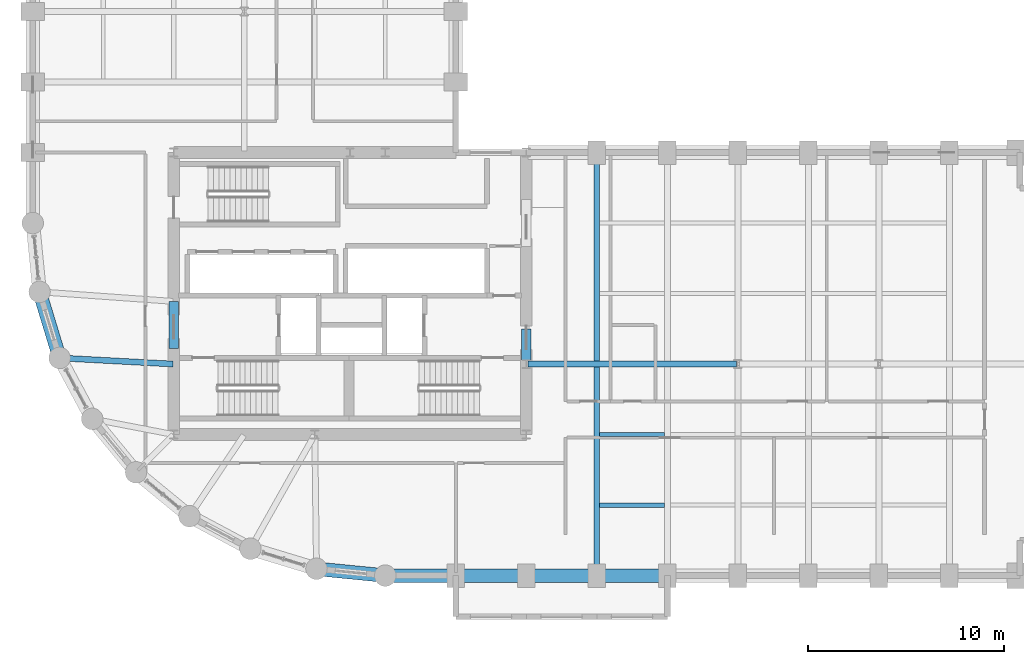
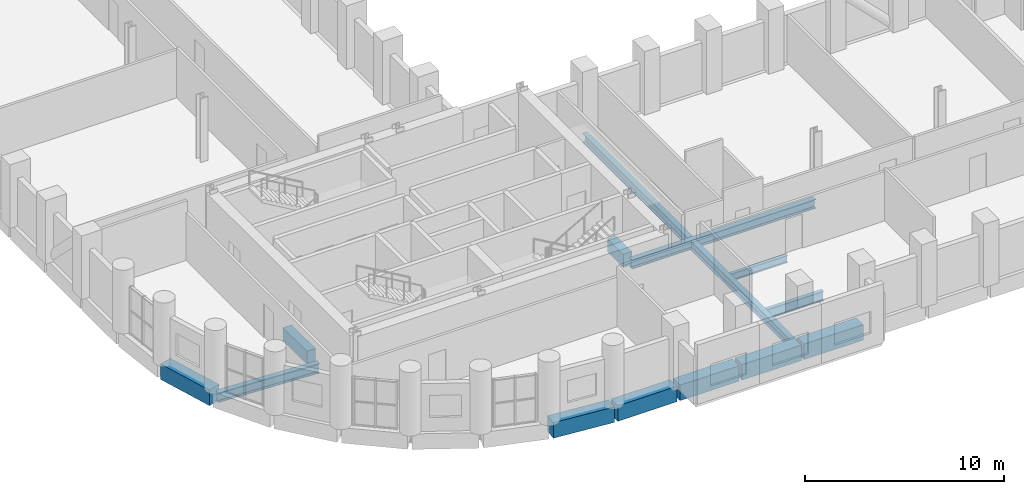
# One storey, part 3 of 12: 13 beams.
"""IFC4 building model written with IfcOpenShell, lengths in metres."""

from ifc_helpers import new_model, si_unit, direction, frame, origin, origin_2d, place, context, subcontext, project, spatial, rectangle, i_section, extrude, material, material_profile, profile_set, type_object, element, save


model = new_model("IFC4")

# Units and contexts
model_context = context("Model", 3, precision=1e-05, world=origin(), true_north=direction((0.0, 1.0)))
body_context = subcontext(model_context, "Body", "Model", "MODEL_VIEW")
ifc_project = project(units=[si_unit("LENGTHUNIT", "METRE"), si_unit("AREAUNIT", "SQUARE_METRE"), si_unit("VOLUMEUNIT", "CUBIC_METRE"), si_unit("PLANEANGLEUNIT", "RADIAN"), si_unit("MASSUNIT", "GRAM", prefix="KILO")], contexts=[model_context])

# Site, building, storey
site_placement = place(None, origin())
site = spatial("IfcSite", under=ifc_project, at=site_placement, CompositionType="ELEMENT")
building_placement = place(site_placement, origin())
building = spatial("IfcBuilding", under=site, at=building_placement, Name="Solnavia Interchange Tower", CompositionType="ELEMENT")
storey_placement = place(building_placement, frame((0.0, 0.0, 27.89990234375)))
storey = spatial("IfcBuildingStorey", under=building, at=storey_placement, Name="L06", CompositionType="ELEMENT", Elevation=27.89990234375)

# Beams
ifc_material_1 = material(Name="Concrete C50/60", Category="concrete")
ifc_material_profile_1 = material_profile(ifc_material_1, rectangle(XDim=0.5, YDim=0.800048828125, at=origin_2d()), Name="RC 500x800")
ifc_profile_set_1 = profile_set([ifc_material_profile_1], Name="Concrete C50/60")
beam_type_1 = type_object("IfcBeamType", Name="Beam-Coupling-RC500x800", PredefinedType="LINTEL", material=ifc_profile_set_1)
beam_1_placement = place(storey_placement, frame((14.39990234375, 15.199951171875, -0.39990234375), z_axis=(0.0, 1.0, 0.0), x_axis=(-1.0, 0.0, 0.0)))
element("IfcBeam", 1, at=beam_1_placement, inside=storey, type_object=beam_type_1, Name="CPB-L06-W1 Core coupling lintel beam", PredefinedType="LINTEL", context=body_context, shape_type="SweptSolid", body=[
    extrude(rectangle(XDim=0.5, YDim=0.800048828125, at=origin_2d()), origin(), (0.0, 0.0, 1.0), 2.400146484375),
])
beam_2_placement = place(storey_placement, frame((32.39990234375, 14.60009765625, -0.39990234375), z_axis=(0.0, 1.0, 0.0), x_axis=(-1.0, 0.0, 0.0)))
element("IfcBeam", 2, at=beam_2_placement, inside=storey, type_object=beam_type_1, Name="CPB-L06-E1 Core coupling lintel beam", PredefinedType="LINTEL", context=body_context, shape_type="SweptSolid", body=[
    extrude(rectangle(XDim=0.5, YDim=0.800048828125, at=origin_2d()), origin(), (0.0, 0.0, 1.0), 1.599853515625),
])
ifc_material_2 = material(Name="Steel S460", Category="steel")
ifc_material_profile_2 = material_profile(ifc_material_2, i_section(OverallWidth=0.300048828125, OverallDepth=0.550048828125, WebThickness=0.014892578125, FlangeThickness=0.029052734375, FilletRadius=0.027099609375, at=origin_2d()), Name="HEB 550")
ifc_profile_set_2 = profile_set([ifc_material_profile_2], Name="Steel S460")
beam_type_2 = type_object("IfcBeamType", Name="Beam-Girder-HEB550", PredefinedType="BEAM", material=ifc_profile_set_2)
beam_3_placement = place(storey_placement, frame((32.47998046875, 14.39990234375, -0.52490234375), z_axis=(1.0, 0.0, 0.0), x_axis=(0.0, 1.0, 0.0)))
element("IfcBeam", 3, at=beam_3_placement, inside=storey, type_object=beam_type_2, Name="GRD-L06-ES01 East wing spine girder", PredefinedType="BEAM", context=body_context, shape_type="SweptSolid", body=[
    extrude(i_section(OverallWidth=0.300048828125, OverallDepth=0.550048828125, WebThickness=0.014892578125, FlangeThickness=0.029052734375, FilletRadius=0.027099609375, at=origin_2d()), origin(), (0.0, 0.0, 1.0), 10.64013671875),
])
beam_4_placement = place(storey_placement, frame((36.0, 3.679931640625, -0.52490234375), z_axis=(0.0, 1.0, 0.0), x_axis=(-1.0, 0.0, 0.0)))
element("IfcBeam", 4, at=beam_4_placement, inside=storey, type_object=beam_type_2, Name="GRD-L06-EW04 East wing primary floor girder", PredefinedType="BEAM", context=body_context, shape_type="SweptSolid", body=[
    extrude(i_section(OverallWidth=0.300048828125, OverallDepth=0.550048828125, WebThickness=0.014892578125, FlangeThickness=0.029052734375, FilletRadius=0.027099609375, at=origin_2d()), origin(), (0.0, 0.0, 1.0), 21.440185546875),
])
ifc_material_3 = material(Name="Steel S355", Category="steel")
ifc_material_profile_3 = material_profile(ifc_material_3, i_section(OverallWidth=0.18994140625, OverallDepth=0.449951171875, WebThickness=0.009521484375, FlangeThickness=0.0146484375, FilletRadius=0.02099609375, at=origin_2d()), Name="IPE 450")
ifc_profile_set_3 = profile_set([ifc_material_profile_3], Name="Steel S355")
beam_type_3 = type_object("IfcBeamType", Name="Beam-Joist-IPE450", PredefinedType="JOIST", material=ifc_profile_set_3)
beam_5_placement = place(storey_placement, frame((36.14990234375, 10.800048828125, -0.474853515625), z_axis=(1.0, 0.0, 0.0), x_axis=(0.0, 1.0, 0.0)))
element("IfcBeam", 5, at=beam_5_placement, inside=storey, type_object=beam_type_3, Name="JST-L06-E06 East wing secondary joist", PredefinedType="JOIST", context=body_context, shape_type="SweptSolid", body=[
    extrude(i_section(OverallWidth=0.18994140625, OverallDepth=0.449951171875, WebThickness=0.009521484375, FlangeThickness=0.0146484375, FilletRadius=0.02099609375, at=origin_2d()), origin(), (0.0, 0.0, 1.0), 3.300048828125),
])
ifc_material_profile_4 = material_profile(ifc_material_3, i_section(OverallWidth=0.219970703125, OverallDepth=0.60009765625, WebThickness=0.011962890625, FlangeThickness=0.01904296875, FilletRadius=0.02392578125, at=origin_2d()), Name="IPE 600")
ifc_profile_set_4 = profile_set([ifc_material_profile_4], Name="Steel S355")
beam_type_4 = type_object("IfcBeamType", Name="Beam-Joist-IPE600", PredefinedType="JOIST", material=ifc_profile_set_4)
beam_6_placement = place(storey_placement, frame((36.14990234375, 7.199951171875, -0.5498046875), z_axis=(1.0, 0.0, 0.0), x_axis=(0.0, 1.0, 0.0)))
element("IfcBeam", 6, at=beam_6_placement, inside=storey, type_object=beam_type_4, Name="JST-L06-E01 East wing secondary joist", PredefinedType="JOIST", context=body_context, shape_type="SweptSolid", body=[
    extrude(i_section(OverallWidth=0.219970703125, OverallDepth=0.60009765625, WebThickness=0.011962890625, FlangeThickness=0.01904296875, FilletRadius=0.02392578125, at=origin_2d()), origin(), (0.0, 0.0, 1.0), 3.300048828125),
])
ifc_material_profile_5 = material_profile(ifc_material_3, i_section(OverallWidth=0.300048828125, OverallDepth=0.590087890625, WebThickness=0.012939453125, FlangeThickness=0.02490234375, FilletRadius=0.027099609375, at=origin_2d()), Name="HEA 600")
ifc_profile_set_5 = profile_set([ifc_material_profile_5], Name="Steel S355")
beam_type_5 = type_object("IfcBeamType", Name="Beam-Primary-HEA600", PredefinedType="BEAM", material=ifc_profile_set_5)
beam_7_placement = place(storey_placement, frame((8.64990234375, 14.707763671875, -0.544921875), z_axis=(0.998570371303, -0.053452909696, 0.0), x_axis=(0.053452909696, 0.998570371303, 0.0)))
element("IfcBeam", 7, at=beam_7_placement, inside=storey, type_object=beam_type_5, Name="GRD-L06-DR23 Drum radial floor girder", PredefinedType="BEAM", context=body_context, shape_type="SweptSolid", body=[
    extrude(i_section(OverallWidth=0.300048828125, OverallDepth=0.590087890625, WebThickness=0.012939453125, FlangeThickness=0.02490234375, FilletRadius=0.027099609375, at=origin_2d()), origin(), (0.0, 0.0, 1.0), 5.71826171875),
])
ifc_material_profile_6 = material_profile(ifc_material_1, rectangle(XDim=0.699951171875, YDim=0.949951171875, at=origin_2d()), Name="RC 700x950")
ifc_profile_set_6 = profile_set([ifc_material_profile_6], Name="Concrete C50/60")
beam_type_6 = type_object("IfcBeamType", Name="Beam-Spandrel-RC700x950", PredefinedType="SPANDREL", material=ifc_profile_set_6)
beam_8_placement = place(storey_placement, frame((7.569091796875, 18.011474609375, -0.474853515625), z_axis=(0.290319223646, -0.956929855518, 0.0), x_axis=(0.956929855518, 0.290319223646, 0.0)))
element("IfcBeam", 8, at=beam_8_placement, inside=storey, type_object=beam_type_6, Name="SPB-L06-02 Framed-tube perimeter spandrel beam", PredefinedType="SPANDREL", context=body_context, shape_type="SweptSolid", body=[
    extrude(rectangle(XDim=0.699951171875, YDim=0.949951171875, at=origin_2d()), origin(), (0.0, 0.0, 1.0), 3.367919921875),
])
beam_9_placement = place(storey_placement, frame((21.767578125, 3.938232421875, -0.474853515625), z_axis=(0.995181774609, -0.098047108501, 0.0), x_axis=(0.098047108501, 0.995181774609, 0.0)))
element("IfcBeam", 9, at=beam_9_placement, inside=storey, type_object=beam_type_6, Name="SPB-L06-08 Framed-tube perimeter spandrel beam", PredefinedType="SPANDREL", context=body_context, shape_type="SweptSolid", body=[
    extrude(rectangle(XDim=0.699951171875, YDim=0.949951171875, at=origin_2d()), origin(), (0.0, 0.0, 1.0), 3.368896484375),
])
beam_10_placement = place(storey_placement, frame((25.280029296875, 3.60009765625, -0.474853515625), z_axis=(1.0, 0.0, 0.0), x_axis=(0.0, 1.0, 0.0)))
element("IfcBeam", 10, at=beam_10_placement, inside=storey, type_object=beam_type_6, Name="SPB-L06-09 Framed-tube perimeter spandrel beam", PredefinedType="SPANDREL", context=body_context, shape_type="SweptSolid", body=[
    extrude(rectangle(XDim=0.699951171875, YDim=0.949951171875, at=origin_2d()), origin(), (0.0, 0.0, 1.0), 3.43994140625),
])
beam_11_placement = place(storey_placement, frame((28.8798828125, 3.60009765625, -0.474853515625), z_axis=(1.0, 0.0, 0.0), x_axis=(0.0, 1.0, 0.0)))
element("IfcBeam", 11, at=beam_11_placement, inside=storey, type_object=beam_type_6, Name="SPB-L06-10 Framed-tube perimeter spandrel beam", PredefinedType="SPANDREL", context=body_context, shape_type="SweptSolid", body=[
    extrude(rectangle(XDim=0.699951171875, YDim=0.949951171875, at=origin_2d()), origin(), (0.0, 0.0, 1.0), 3.440185546875),
])
for number, where, z_axis, x_axis, name in (
    (12, (32.47998046875, 3.60009765625, -0.474853515625), (1.0, 0.0, 0.0), (0.0, 1.0, 0.0), "SPB-L06-11 Framed-tube perimeter spandrel beam"),
    (13, (36.080078125, 3.60009765625, -0.474853515625), (1.0, 0.0, 0.0), (0.0, 1.0, 0.0), "SPB-L06-12 Framed-tube perimeter spandrel beam"),
):
    element("IfcBeam", number, at=place(storey_placement, frame(where, z_axis=z_axis, x_axis=x_axis)), inside=storey, type_object=beam_type_6, Name=name, PredefinedType="SPANDREL", context=body_context, shape_type="SweptSolid", body=[
        extrude(rectangle(XDim=0.699951171875, YDim=0.949951171875, at=origin_2d()), origin(), (0.0, 0.0, 1.0), 3.43994140625),
    ])

save(model, "model.ifc")
